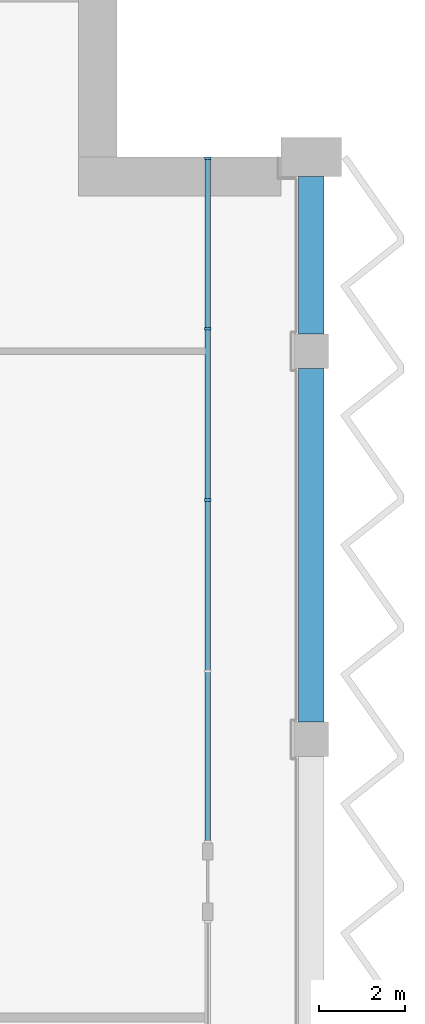
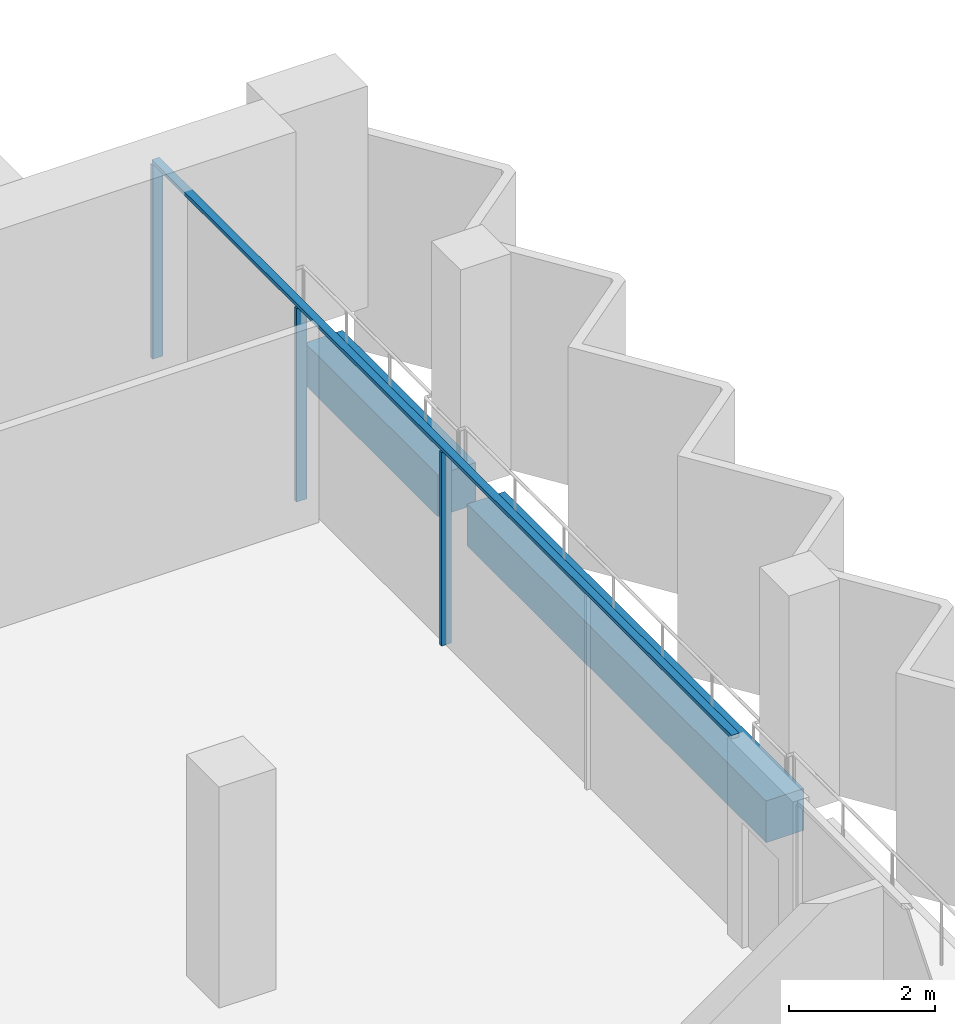
# One storey, part 5 of 14: 4 members, 2 beams, 1 element without a shape of its own.
"""IFC4 building model written with IfcOpenShell, lengths in metres."""

from ifc_helpers import new_model, si_unit, direction, frame, origin, origin_2d, place, context, subcontext, project, spatial, rectangle, extrude, material, material_profile, profile_set, type_object, element, aggregate, save


model = new_model("IFC4")

# Units and contexts
model_context = context("Model", 3, precision=1e-05, world=origin(), true_north=direction((0.0, 1.0)))
body_context = subcontext(model_context, "Body", "Model", "MODEL_VIEW")
ifc_project = project(units=[si_unit("LENGTHUNIT", "METRE"), si_unit("AREAUNIT", "SQUARE_METRE"), si_unit("VOLUMEUNIT", "CUBIC_METRE"), si_unit("PLANEANGLEUNIT", "RADIAN"), si_unit("MASSUNIT", "GRAM", prefix="KILO")], contexts=[model_context])

# Site, building, storey
site_placement = place(None, origin())
site = spatial("IfcSite", under=ifc_project, at=site_placement, CompositionType="ELEMENT")
building_placement = place(site_placement, origin())
building = spatial("IfcBuilding", under=site, at=building_placement, Name="Hunhe Ridgeline Campus", CompositionType="ELEMENT")
storey_placement = place(building_placement, frame((0.0, 0.0, 295.60009765625)))
storey = spatial("IfcBuildingStorey", under=building, at=storey_placement, Name="L76", CompositionType="ELEMENT", Elevation=295.60009765625)

# Curtain wall, members
ifc_material_1 = material(Name="Aluminium 6063", Category="aluminium")
curtain_wall_type = type_object("IfcCurtainWallType", Name="Curtain wall CW-1", PredefinedType="NOTDEFINED", material=ifc_material_1)
curtain_wall_placement = place(storey_placement, origin())
curtain_wall = element("IfcCurtainWall", 1, at=curtain_wall_placement, inside=storey, type_object=curtain_wall_type, Name="Curtain wall 12", PredefinedType="NOTDEFINED")
ifc_material_profile_1 = material_profile(ifc_material_1, rectangle(XDim=0.159912109375, YDim=0.06005859375, at=origin_2d()))
ifc_profile_set_1 = profile_set([ifc_material_profile_1], Name="Aluminium 6063")
member_type_1 = type_object("IfcMemberType", Name="CW-1 aluminium mullion", PredefinedType="MULLION", material=ifc_profile_set_1)
member_1_placement = place(storey_placement, frame((51.59912109375, 86.55029296875, 0.0), z_axis=(0.0, 0.0, 1.0), x_axis=(-1.0, 0.0, 0.0)))
member_1 = element("IfcMember", 2, at=member_1_placement, type_object=member_type_1, Name="CW-1 mullion 3", PredefinedType="MULLION", context=body_context, shape_type="SweptSolid", body=[
    extrude(rectangle(XDim=0.159912109375, YDim=0.06005859375, at=origin_2d()), origin(), (0.0, 0.0, 1.0), 3.239990234375),
])
member_2_placement = place(storey_placement, frame((51.59912109375, 90.525146484375, 0.0), z_axis=(0.0, 0.0, 1.0), x_axis=(-1.0, 0.0, 0.0)))
member_2 = element("IfcMember", 3, at=member_2_placement, type_object=member_type_1, Name="CW-1 mullion 4", PredefinedType="MULLION", context=body_context, shape_type="SweptSolid", body=[
    extrude(rectangle(XDim=0.159912109375, YDim=0.06005859375, at=origin_2d()), origin(), (0.0, 0.0, 1.0), 3.239990234375),
])
member_3_placement = place(storey_placement, frame((51.59912109375, 94.469970703125, 0.0), z_axis=(0.0, 0.0, 1.0), x_axis=(-1.0, 0.0, 0.0)))
member_3 = element("IfcMember", 4, at=member_3_placement, type_object=member_type_1, Name="CW-1 mullion 5", PredefinedType="MULLION", context=body_context, shape_type="SweptSolid", body=[
    extrude(rectangle(XDim=0.159912109375, YDim=0.06005859375, at=origin_2d()), origin(), (0.0, 0.0, 1.0), 3.239990234375),
])
ifc_material_profile_2 = material_profile(ifc_material_1, rectangle(XDim=0.1201171875, YDim=0.06005859375, at=origin_2d()))
ifc_profile_set_2 = profile_set([ifc_material_profile_2], Name="Aluminium 6063")
member_type_2 = type_object("IfcMemberType", Name="CW-1 aluminium transom", PredefinedType="USERDEFINED", material=ifc_profile_set_2)
member_4_placement = place(storey_placement, frame((51.59912109375, 78.6005859375, 3.27001953125), z_axis=(0.0, 1.0, 0.0), x_axis=(-1.0, 0.0, 0.0)))
member_4 = element("IfcMember", 5, at=member_4_placement, type_object=member_type_2, Name="CW-1 transom 1", ObjectType="TRANSOM", PredefinedType="USERDEFINED", context=body_context, shape_type="SweptSolid", body=[
    extrude(rectangle(XDim=0.1201171875, YDim=0.06005859375, at=origin_2d()), origin(), (0.0, 0.0, 1.0), 15.8994140625),
])
aggregate(curtain_wall, [member_4, member_1, member_2, member_3])

# Beams
ifc_material_2 = material(Name="Concrete C50", Category="concrete")
ifc_material_profile_3 = material_profile(ifc_material_2, rectangle(XDim=0.60009765625, YDim=0.699951171875, at=origin_2d()))
ifc_profile_set_3 = profile_set([ifc_material_profile_3], Name="Concrete C50")
beam_type = type_object("IfcBeamType", Name="RC spandrel beam 600x700 Concrete C50", PredefinedType="SPANDREL", material=ifc_profile_set_3)
beam_1_placement = place(storey_placement, frame((54.0, 81.39990234375, -0.60009765625), z_axis=(0.0, 1.0, 0.0), x_axis=(-1.0, 0.0, 0.0)))
element("IfcBeam", 6, at=beam_1_placement, inside=storey, type_object=beam_type, Name="Spandrel beam B4-15 L76", PredefinedType="SPANDREL", context=body_context, shape_type="SweptSolid", body=[
    extrude(rectangle(XDim=0.60009765625, YDim=0.699951171875, at=origin_2d()), origin(), (0.0, 0.0, 1.0), 8.2001953125),
])
beam_2_placement = place(storey_placement, frame((54.0, 90.39990234375, -0.60009765625), z_axis=(0.0, 1.0, 0.0), x_axis=(-1.0, 0.0, 0.0)))
element("IfcBeam", 7, at=beam_2_placement, inside=storey, type_object=beam_type, Name="Spandrel beam B4-16 L76", PredefinedType="SPANDREL", context=body_context, shape_type="SweptSolid", body=[
    extrude(rectangle(XDim=0.60009765625, YDim=0.699951171875, at=origin_2d()), origin(), (0.0, 0.0, 1.0), 3.650146484375),
])

save(model, "model.ifc")
